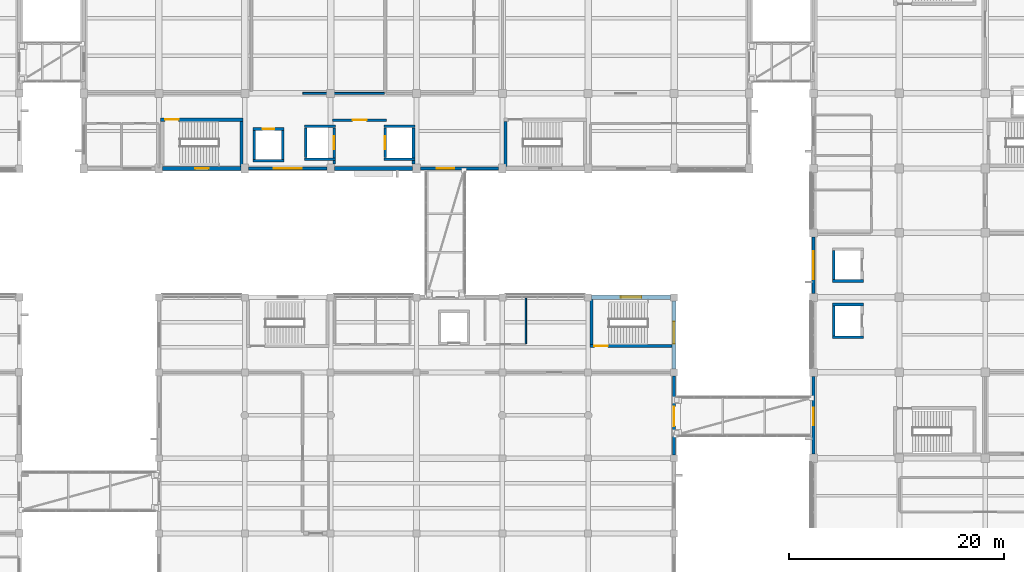
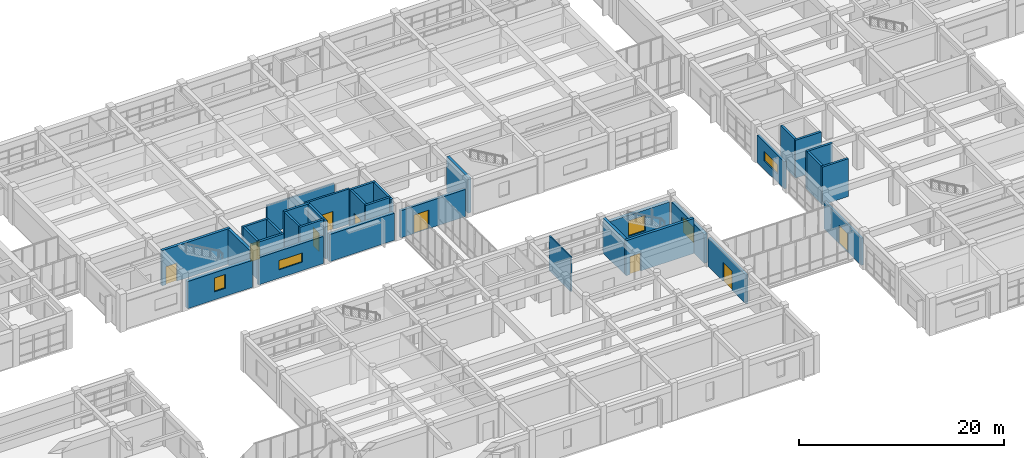
# One storey, part 50 of 70: 34 walls, 9 doors, 5 windows, 14 openings.
"""IFC4 building model written with IfcOpenShell, lengths in metres."""

from ifc_helpers import new_model, si_unit, direction, frame, frame_2d, origin, place, context, subcontext, project, spatial, rectangle, extrude, material, layer, layer_set, type_object, element, fill, save


model = new_model("IFC4")

# Units and contexts
model_context = context("Model", 3, precision=1e-05, world=origin(), true_north=direction((0.0, 1.0)))
body_context = subcontext(model_context, "Body", "Model", "MODEL_VIEW")
ifc_project = project(units=[si_unit("LENGTHUNIT", "METRE"), si_unit("AREAUNIT", "SQUARE_METRE"), si_unit("VOLUMEUNIT", "CUBIC_METRE"), si_unit("PLANEANGLEUNIT", "RADIAN"), si_unit("MASSUNIT", "GRAM", prefix="KILO")], contexts=[model_context])

# Site, building, storey
site_placement = place(None, origin())
site = spatial("IfcSite", under=ifc_project, at=site_placement, CompositionType="ELEMENT")
building_placement = place(site_placement, origin())
building = spatial("IfcBuilding", under=site, at=building_placement, Name="Naurynzar Civic Courthouse", CompositionType="ELEMENT")
storey_placement = place(building_placement, frame((0.0, 0.0, 5.39990234375)))
storey = spatial("IfcBuildingStorey", under=building, at=storey_placement, Name="L02", CompositionType="ELEMENT", Elevation=5.39990234375)

# Wall
ifc_material_1 = material(Name="Acoustic Double-Stud Gypsum Partition")
ifc_layer_1 = layer(ifc_material_1, 0.175048828125)
ifc_layer_set_1 = layer_set([ifc_layer_1], Name="WL-ACOUSTIC-175")
wall_type_1 = type_object("IfcWallType", Name="WL-ACOUSTIC-175", PredefinedType="PARTITIONING", material=ifc_layer_set_1)
wall_1_placement = place(storey_placement, frame((82.39990234375, 51.0, 0.0), z_axis=(0.0, 0.0, 1.0), x_axis=(1.0, 0.0, 0.0)))
element("IfcWall", 1, at=wall_1_placement, inside=storey, type_object=wall_type_1, Name="V2 interior partition L02.227", PredefinedType="PARTITIONING", context=body_context, shape_type="SweptSolid", body=[
    extrude(rectangle(XDim=7.60009765625, YDim=0.175048828125, at=frame_2d((3.800048828125, 0.0))), origin(), (0.0, 0.0, 1.0), 3.400146484375),
])

# Wall, opening, door
ifc_material_2 = material(Name="Concrete C40/50", Category="concrete")
ifc_layer_2 = layer(ifc_material_2, 0.300048828125)
ifc_layer_set_2 = layer_set([ifc_layer_2], Name="WL-CORE-300")
wall_type_2 = type_object("IfcWallType", Name="WL-CORE-300", PredefinedType="SHEAR", material=ifc_layer_set_2)
wall_2_placement = place(storey_placement, frame((76.85009765625, 48.550048828125, 0.0), z_axis=(0.0, 0.0, 1.0), x_axis=(-1.0, 0.0, 0.0)))
wall_2 = element("IfcWall", 2, at=wall_2_placement, inside=storey, type_object=wall_type_2, Name="Stair ST-V2A enclosure wall north L02", PredefinedType="SHEAR", context=body_context, shape_type="SweptSolid", body=[
    extrude(rectangle(XDim=7.7001953125, YDim=0.300048828125, at=frame_2d((3.85009765625, 0.0))), origin(), (0.0, 0.0, 1.0), 4.2001953125),
])
opening_1_placement = place(wall_2_placement, frame((6.02490234375, 0.0, 0.0)))
opening_1 = element("IfcOpeningElement", 3, at=opening_1_placement, cuts=wall_2, Name="Opening SD-025", PredefinedType="OPENING", context=body_context, shape_type="SweptSolid", body=[
    extrude(rectangle(XDim=1.25, YDim=2.14990234375, at=frame_2d((0.625, 1.074951171875))), frame((0.0, 0.159912109375, 0.0), z_axis=(0.0, -1.0, 0.0), x_axis=(1.0, 0.0, 0.0)), (0.0, 0.0, 1.0), 0.320068359375),
])
ifc_material_3 = material(Name="Powder-Coated Galvanised Steel", Category="steel")
door_type_1 = type_object("IfcDoorType", Name="DR-STAIR-1250x2150", OperationType="NOTDEFINED", PredefinedType="DOOR", material=ifc_material_3)
door_1_placement = place(opening_1_placement, origin())
door_1 = element("IfcDoor", 4, at=door_1_placement, inside=storey, type_object=door_type_1, Name="Stair ST-V2A fire door L02", OperationType="SINGLE_SWING_LEFT", OverallHeight=2.14990234375, OverallWidth=1.25, PredefinedType="DOOR", context=body_context, shape_type="SweptSolid", body=[
    extrude(rectangle(XDim=1.25, YDim=2.14990234375, at=frame_2d((0.625, 1.074951171875))), frame((0.0, 0.02490234375, 0.0), z_axis=(0.0, -1.0, 0.0), x_axis=(1.0, 0.0, 0.0)), (0.0, 0.0, 1.0), 0.050048828125),
])
fill(opening_1, door_1)

# Walls
for number, where, z_axis, x_axis, name in (
    (5, (76.699951171875, 44.195068359375, 0.0), (0.0, 0.0, 1.0), (0.0, 1.0, 0.0), "Stair ST-V2A enclosure wall east L02"),
    (6, (101.300048828125, 48.39501953125, 0.0), (0.0, 0.0, 1.0), (0.0, -1.0, 0.0), "Stair ST-V2B enclosure wall west L02"),
):
    element("IfcWall", number, at=place(storey_placement, frame(where, z_axis=z_axis, x_axis=x_axis)), inside=storey, type_object=wall_type_2, Name=name, PredefinedType="SHEAR", context=body_context, shape_type="SweptSolid", body=[
        extrude(rectangle(XDim=4.199951171875, YDim=0.300048828125, at=frame_2d((2.10009765625, 0.0))), origin(), (0.0, 0.0, 1.0), 4.2001953125),
    ])

# Wall, opening, door
wall_3_placement = place(storey_placement, frame((109.14990234375, 27.449951171875, 0.0), z_axis=(0.0, 0.0, 1.0), x_axis=(1.0, 0.0, 0.0)))
wall_3 = element("IfcWall", 7, at=wall_3_placement, inside=storey, type_object=wall_type_2, Name="Stair ST-V3B enclosure wall south L02", PredefinedType="SHEAR", context=body_context, shape_type="SweptSolid", body=[
    extrude(rectangle(XDim=7.655029296875, YDim=0.300048828125, at=frame_2d((3.82763671875, 0.0))), origin(), (0.0, 0.0, 1.0), 4.16015625),
])
opening_2_placement = place(wall_3_placement, frame((0.425048828125, 0.0, 0.0)))
opening_2 = element("IfcOpeningElement", 8, at=opening_2_placement, cuts=wall_3, Name="Opening SD-054", PredefinedType="OPENING", context=body_context, shape_type="SweptSolid", body=[
    extrude(rectangle(XDim=1.25, YDim=2.14990234375, at=frame_2d((0.625, 1.074951171875))), frame((0.0, 0.159912109375, 0.0), z_axis=(0.0, -1.0, 0.0), x_axis=(1.0, 0.0, 0.0)), (0.0, 0.0, 1.0), 0.320068359375),
])
door_2_placement = place(opening_2_placement, origin())
door_2 = element("IfcDoor", 9, at=door_2_placement, inside=storey, type_object=door_type_1, Name="Stair ST-V3B fire door L02", OperationType="SINGLE_SWING_RIGHT", OverallHeight=2.14990234375, OverallWidth=1.25, PredefinedType="DOOR", context=body_context, shape_type="SweptSolid", body=[
    extrude(rectangle(XDim=1.25, YDim=2.14990234375, at=frame_2d((0.625, 1.074951171875))), frame((0.0, 0.02490234375, 0.0), z_axis=(0.0, -1.0, 0.0), x_axis=(1.0, 0.0, 0.0)), (0.0, 0.0, 1.0), 0.050048828125),
])
fill(opening_2, door_2)

# Wall
wall_4_placement = place(storey_placement, frame((109.300048828125, 31.804931640625, 0.0), z_axis=(0.0, 0.0, 1.0), x_axis=(0.0, -1.0, 0.0)))
element("IfcWall", 10, at=wall_4_placement, inside=storey, type_object=wall_type_2, Name="Stair ST-V3B enclosure wall west L02", PredefinedType="SHEAR", context=body_context, shape_type="SweptSolid", body=[
    extrude(rectangle(XDim=4.199951171875, YDim=0.300048828125, at=frame_2d((2.10009765625, 0.0))), origin(), (0.0, 0.0, 1.0), 4.16015625),
])

# Wall, opening, door
ifc_material_4 = material(Name="Precast concrete C40/50", Category="concrete")
ifc_layer_3 = layer(ifc_material_4, 0.260009765625)
ifc_layer_set_3 = layer_set([ifc_layer_3], Name="WL-EXT-260")
wall_type_3 = type_object("IfcWallType", Name="WL-EXT-260", PredefinedType="SOLIDWALL", material=ifc_layer_set_3)
wall_5_placement = place(storey_placement, frame((117.0, 24.675048828125, 0.0), z_axis=(0.0, 0.0, 1.0), x_axis=(0.0, -1.0, 0.0)))
wall_5 = element("IfcWall", 11, at=wall_5_placement, inside=storey, type_object=wall_type_3, Name="V3 exterior wall east L02.2.1", PredefinedType="SOLIDWALL", context=body_context, shape_type="SweptSolid", body=[
    extrude(rectangle(XDim=7.35009765625, YDim=0.260009765625, at=frame_2d((3.675048828125, 0.0))), origin(), (0.0, 0.0, 1.0), 3.440185546875),
])
opening_3_placement = place(wall_5_placement, frame((2.875, 0.0, 0.0)))
opening_3 = element("IfcOpeningElement", 12, at=opening_3_placement, cuts=wall_5, Name="Opening BD-21", PredefinedType="OPENING", context=body_context, shape_type="SweptSolid", body=[
    extrude(rectangle(XDim=1.800048828125, YDim=2.25, at=frame_2d((0.89990234375, 1.125))), frame((0.0, 0.139892578125, 0.0), z_axis=(0.0, -1.0, 0.0), x_axis=(1.0, 0.0, 0.0)), (0.0, 0.0, 1.0), 0.280029296875),
])
ifc_material_5 = material(Name="Aluminium 6063-T6", Category="aluminium")
door_type_2 = type_object("IfcDoorType", Name="DR-BRG-1800x2250", OperationType="DOUBLE_DOOR_SINGLE_SWING", PredefinedType="DOOR", material=ifc_material_5)
door_3_placement = place(opening_3_placement, origin())
door_3 = element("IfcDoor", 13, at=door_3_placement, inside=storey, type_object=door_type_2, Name="Seismic bridge fire door BD-21", OperationType="DOUBLE_DOOR_SINGLE_SWING", OverallHeight=2.25, OverallWidth=1.800048828125, PredefinedType="DOOR", context=body_context, shape_type="SweptSolid", body=[
    extrude(rectangle(XDim=1.800048828125, YDim=2.25, at=frame_2d((0.89990234375, 1.125))), frame((0.0, 0.02490234375, 0.0), z_axis=(0.0, -1.0, 0.0), x_axis=(1.0, 0.0, 0.0)), (0.0, 0.0, 1.0), 0.050048828125),
])
fill(opening_3, door_3)

wall_6_placement = place(storey_placement, frame((130.0, 17.375, 0.0), z_axis=(0.0, 0.0, 1.0), x_axis=(0.0, 1.0, 0.0)))
wall_6 = element("IfcWall", 14, at=wall_6_placement, inside=storey, type_object=wall_type_3, Name="V5 exterior wall west L02.3.1", PredefinedType="SOLIDWALL", context=body_context, shape_type="SweptSolid", body=[
    extrude(rectangle(XDim=7.25, YDim=0.260009765625, at=frame_2d((3.625, 0.0))), origin(), (0.0, 0.0, 1.0), 3.22998046875),
])
opening_4_placement = place(wall_6_placement, frame((2.699951171875, 0.0, 0.0)))
opening_4 = element("IfcOpeningElement", 15, at=opening_4_placement, cuts=wall_6, Name="Opening BD-34", PredefinedType="OPENING", context=body_context, shape_type="SweptSolid", body=[
    extrude(rectangle(XDim=1.64990234375, YDim=2.199951171875, at=frame_2d((0.824951171875, 1.10009765625))), frame((0.0, 0.139892578125, 0.0), z_axis=(0.0, -1.0, 0.0), x_axis=(1.0, 0.0, 0.0)), (0.0, 0.0, 1.0), 0.280029296875),
])
ifc_material_6 = material(Name="Aluminium 6063-T6", Category="aluminium")
door_type_3 = type_object("IfcDoorType", Name="DR-BRG-1650x2200", OperationType="DOUBLE_DOOR_SINGLE_SWING", PredefinedType="DOOR", material=ifc_material_6)
door_4_placement = place(opening_4_placement, origin())
door_4 = element("IfcDoor", 16, at=door_4_placement, inside=storey, type_object=door_type_3, Name="Seismic bridge fire door BD-34", OperationType="DOUBLE_DOOR_SINGLE_SWING", OverallHeight=2.199951171875, OverallWidth=1.64990234375, PredefinedType="DOOR", context=body_context, shape_type="SweptSolid", body=[
    extrude(rectangle(XDim=1.64990234375, YDim=2.199951171875, at=frame_2d((0.824951171875, 1.10009765625))), frame((0.0, 0.02490234375, 0.0), z_axis=(0.0, -1.0, 0.0), x_axis=(1.0, 0.0, 0.0)), (0.0, 0.0, 1.0), 0.050048828125),
])
fill(opening_4, door_4)

# Wall, opening, window
wall_7_placement = place(storey_placement, frame((130.0, 32.375, 0.0), z_axis=(0.0, 0.0, 1.0), x_axis=(0.0, 1.0, 0.0)))
wall_7 = element("IfcWall", 17, at=wall_7_placement, inside=storey, type_object=wall_type_3, Name="V5 exterior wall west L02.5.1", PredefinedType="SOLIDWALL", context=body_context, shape_type="SweptSolid", body=[
    extrude(rectangle(XDim=5.25, YDim=0.260009765625, at=frame_2d((2.625, 0.0))), origin(), (0.0, 0.0, 1.0), 3.22998046875),
])
opening_5_placement = place(wall_7_placement, frame((1.324951171875, 0.0, 1.0)))
opening_5 = element("IfcOpeningElement", 18, at=opening_5_placement, cuts=wall_7, Name="Opening WN-17", PredefinedType="OPENING", context=body_context, shape_type="SweptSolid", body=[
    extrude(rectangle(XDim=2.60009765625, YDim=1.10009765625, at=frame_2d((1.300048828125, 0.550048828125))), frame((0.0, 0.139892578125, 0.0), z_axis=(0.0, -1.0, 0.0), x_axis=(1.0, 0.0, 0.0)), (0.0, 0.0, 1.0), 0.280029296875),
])
ifc_material_7 = material(Name="Tempered Laminated Low-E Glass", Category="glass")
window_type_1 = type_object("IfcWindowType", Name="WIN-CLER-2600x1100", PartitioningType="DOUBLE_PANEL_VERTICAL", PredefinedType="WINDOW", material=ifc_material_7)
window_1_placement = place(opening_5_placement, origin())
window_1 = element("IfcWindow", 19, at=window_1_placement, inside=storey, type_object=window_type_1, Name="V5 window 263 L02", OverallHeight=1.10009765625, OverallWidth=2.60009765625, PartitioningType="SINGLE_PANEL", PredefinedType="WINDOW", context=body_context, shape_type="SweptSolid", body=[
    extrude(rectangle(XDim=2.60009765625, YDim=1.10009765625, at=frame_2d((1.300048828125, 0.550048828125))), frame((0.0, 0.030029296875, 0.0), z_axis=(0.0, -1.0, 0.0), x_axis=(1.0, 0.0, 0.0)), (0.0, 0.0, 1.0), 0.06005859375),
])
fill(opening_5, window_1)

# Wall, opening, door
ifc_material_8 = material(Name="Precast concrete C40/50", Category="concrete")
ifc_layer_4 = layer(ifc_material_8, 0.300048828125)
ifc_layer_set_4 = layer_set([ifc_layer_4], Name="WL-EXT-300")
wall_type_4 = type_object("IfcWallType", Name="WL-EXT-300", PredefinedType="SOLIDWALL", material=ifc_layer_set_4)
wall_8_placement = place(storey_placement, frame((100.64990234375, 44.0, 0.0), z_axis=(0.0, 0.0, 1.0), x_axis=(-1.0, 0.0, 0.0)))
wall_8 = element("IfcWall", 20, at=wall_8_placement, inside=storey, type_object=wall_type_4, Name="V2 exterior wall south L02.4.1", PredefinedType="SOLIDWALL", context=body_context, shape_type="SweptSolid", body=[
    extrude(rectangle(XDim=7.2998046875, YDim=0.300048828125, at=frame_2d((3.64990234375, 0.0))), origin(), (0.0, 0.0, 1.0), 3.22998046875),
])
opening_6_placement = place(wall_8_placement, frame((4.125, 0.0, 0.0)))
opening_6 = element("IfcOpeningElement", 21, at=opening_6_placement, cuts=wall_8, Name="Opening BD-10", PredefinedType="OPENING", context=body_context, shape_type="SweptSolid", body=[
    extrude(rectangle(XDim=1.64990234375, YDim=2.199951171875, at=frame_2d((0.824951171875, 1.10009765625))), frame((0.0, 0.159912109375, 0.0), z_axis=(0.0, -1.0, 0.0), x_axis=(1.0, 0.0, 0.0)), (0.0, 0.0, 1.0), 0.320068359375),
])
door_5_placement = place(opening_6_placement, origin())
door_5 = element("IfcDoor", 22, at=door_5_placement, inside=storey, type_object=door_type_3, Name="Seismic bridge fire door BD-10", OperationType="DOUBLE_DOOR_SINGLE_SWING", OverallHeight=2.199951171875, OverallWidth=1.64990234375, PredefinedType="DOOR", context=body_context, shape_type="SweptSolid", body=[
    extrude(rectangle(XDim=1.64990234375, YDim=2.199951171875, at=frame_2d((0.824951171875, 1.10009765625))), frame((0.0, 0.02490234375, 0.0), z_axis=(0.0, -1.0, 0.0), x_axis=(1.0, 0.0, 0.0)), (0.0, 0.0, 1.0), 0.050048828125),
])
fill(opening_6, door_5)

# Wall, opening, window
wall_9_placement = place(storey_placement, frame((84.64990234375, 44.0, 0.0), z_axis=(0.0, 0.0, 1.0), x_axis=(-1.0, 0.0, 0.0)))
wall_9 = element("IfcWall", 23, at=wall_9_placement, inside=storey, type_object=wall_type_4, Name="V2 exterior wall south L02.6.1", PredefinedType="SOLIDWALL", context=body_context, shape_type="SweptSolid", body=[
    extrude(rectangle(XDim=7.2998046875, YDim=0.300048828125, at=frame_2d((3.64990234375, 0.0))), origin(), (0.0, 0.0, 1.0), 3.22998046875),
])
opening_7_placement = place(wall_9_placement, frame((2.35009765625, 0.0, 1.0)))
opening_7 = element("IfcOpeningElement", 24, at=opening_7_placement, cuts=wall_9, Name="Opening WN-17", PredefinedType="OPENING", context=body_context, shape_type="SweptSolid", body=[
    extrude(rectangle(XDim=2.60009765625, YDim=1.10009765625, at=frame_2d((1.300048828125, 0.550048828125))), frame((0.0, 0.159912109375, 0.0), z_axis=(0.0, -1.0, 0.0), x_axis=(1.0, 0.0, 0.0)), (0.0, 0.0, 1.0), 0.320068359375),
])
window_2_placement = place(opening_7_placement, origin())
window_2 = element("IfcWindow", 25, at=window_2_placement, inside=storey, type_object=window_type_1, Name="V2 window 60 L02", OverallHeight=1.10009765625, OverallWidth=2.60009765625, PartitioningType="SINGLE_PANEL", PredefinedType="WINDOW", context=body_context, shape_type="SweptSolid", body=[
    extrude(rectangle(XDim=2.60009765625, YDim=1.10009765625, at=frame_2d((1.300048828125, 0.550048828125))), frame((0.0, 0.030029296875, 0.0), z_axis=(0.0, -1.0, 0.0), x_axis=(1.0, 0.0, 0.0)), (0.0, 0.0, 1.0), 0.06005859375),
])
fill(opening_7, window_2)

# Wall, opening, door
ifc_material_9 = material(Name="Concrete C35/45", Category="concrete")
ifc_layer_5 = layer(ifc_material_9, 0.219970703125)
ifc_layer_set_5 = layer_set([ifc_layer_5], Name="WL-FFL-220")
wall_type_5 = type_object("IfcWallType", Name="WL-FFL-220", PredefinedType="SOLIDWALL", material=ifc_layer_set_5)
wall_10_placement = place(storey_placement, frame((85.179931640625, 48.510009765625, 0.0), z_axis=(0.0, 0.0, 1.0), x_axis=(1.0, 0.0, 0.0)))
wall_10 = element("IfcWall", 26, at=wall_10_placement, inside=storey, type_object=wall_type_5, Name="Firefighting lift lobby EI 120 wall CORE-V2 L02 north", PredefinedType="SOLIDWALL", context=body_context, shape_type="SweptSolid", body=[
    extrude(rectangle(XDim=5.0400390625, YDim=0.219970703125, at=frame_2d((2.52001953125, 0.0))), origin(), (0.0, 0.0, 1.0), 4.2001953125),
])
opening_8_placement = place(wall_10_placement, frame((1.8701171875, 0.0, 0.0)))
opening_8 = element("IfcOpeningElement", 27, at=opening_8_placement, cuts=wall_10, Name="Opening FD-03", PredefinedType="OPENING", context=body_context, shape_type="SweptSolid", body=[
    extrude(rectangle(XDim=1.300048828125, YDim=2.14990234375, at=frame_2d((0.64990234375, 1.074951171875))), frame((0.0, 0.119873046875, 0.0), z_axis=(0.0, -1.0, 0.0), x_axis=(1.0, 0.0, 0.0)), (0.0, 0.0, 1.0), 0.239990234375),
])
ifc_material_10 = material(Name="Powder-Coated Galvanised Steel", Category="steel")
door_type_4 = type_object("IfcDoorType", Name="DR-FFL-1300x2150", OperationType="NOTDEFINED", PredefinedType="DOOR", material=ifc_material_10)
door_6_placement = place(opening_8_placement, origin())
door_6 = element("IfcDoor", 28, at=door_6_placement, inside=storey, type_object=door_type_4, Name="Firefighting lift lobby door FD-03", OperationType="SINGLE_SWING_LEFT", OverallHeight=2.14990234375, OverallWidth=1.300048828125, PredefinedType="DOOR", context=body_context, shape_type="SweptSolid", body=[
    extrude(rectangle(XDim=1.300048828125, YDim=2.14990234375, at=frame_2d((0.64990234375, 1.074951171875))), frame((0.0, 0.02490234375, 0.0), z_axis=(0.0, -1.0, 0.0), x_axis=(1.0, 0.0, 0.0)), (0.0, 0.0, 1.0), 0.050048828125),
])
fill(opening_8, door_6)

# Walls
ifc_material_11 = material(Name="Moisture-Resistant Plumbing Partition")
ifc_layer_6 = layer(ifc_material_11, 0.139892578125)
ifc_layer_set_6 = layer_set([ifc_layer_6], Name="WL-PART-WC-140")
wall_type_6 = type_object("IfcWallType", Name="WL-PART-WC-140", PredefinedType="PLUMBINGWALL", material=ifc_layer_set_6)
wall_11_placement = place(storey_placement, frame((103.199951171875, 27.679931640625, 0.0), z_axis=(0.0, 0.0, 1.0), x_axis=(0.0, 1.0, 0.0)))
element("IfcWall", 29, at=wall_11_placement, inside=storey, type_object=wall_type_6, Name="V3 interior partition L02.288", PredefinedType="PLUMBINGWALL", context=body_context, shape_type="SweptSolid", body=[
    extrude(rectangle(XDim=4.239990234375, YDim=0.139892578125, at=frame_2d((2.1201171875, 0.0))), origin(), (0.0, 0.0, 1.0), 4.14013671875),
])
ifc_material_12 = material(Name="Concrete C40/50", Category="concrete")
ifc_layer_7 = layer(ifc_material_12, 0.3798828125)
ifc_layer_set_7 = layer_set([ifc_layer_7], Name="WL-RET-380")
wall_type_7 = type_object("IfcWallType", Name="WL-RET-380", PredefinedType="STANDARD", material=ifc_layer_set_7)
wall_12_placement = place(storey_placement, frame((92.64990234375, 44.0, 0.0), z_axis=(0.0, 0.0, 1.0), x_axis=(-1.0, 0.0, 0.0)))
element("IfcWall", 30, at=wall_12_placement, inside=storey, type_object=wall_type_7, Name="V2 exterior wall south L02.5.1", PredefinedType="STANDARD", context=body_context, shape_type="SweptSolid", body=[
    extrude(rectangle(XDim=7.2998046875, YDim=0.3798828125, at=frame_2d((3.64990234375, 0.0))), origin(), (0.0, 0.0, 1.0), 3.22998046875),
])

# Wall, opening, window
wall_13_placement = place(storey_placement, frame((76.64990234375, 44.0, 0.0), z_axis=(0.0, 0.0, 1.0), x_axis=(-1.0, 0.0, 0.0)))
wall_13 = element("IfcWall", 31, at=wall_13_placement, inside=storey, type_object=wall_type_7, Name="V2 exterior wall south L02.7.1", PredefinedType="STANDARD", context=body_context, shape_type="SweptSolid", body=[
    extrude(rectangle(XDim=7.2998046875, YDim=0.3798828125, at=frame_2d((3.64990234375, 0.0))), origin(), (0.0, 0.0, 1.0), 3.22998046875),
])
opening_9_placement = place(wall_13_placement, frame((3.02490234375, 0.0, 0.949951171875)))
opening_9 = element("IfcOpeningElement", 32, at=opening_9_placement, cuts=wall_13, Name="Opening WM-07", PredefinedType="OPENING", context=body_context, shape_type="SweptSolid", body=[
    extrude(rectangle(XDim=1.25, YDim=1.64990234375, at=frame_2d((0.625, 0.824951171875))), frame((0.0, 0.199951171875, 0.0), z_axis=(0.0, -1.0, 0.0), x_axis=(1.0, 0.0, 0.0)), (0.0, 0.0, 1.0), 0.39990234375),
])
ifc_material_13 = material(Name="Tempered Laminated Low-E Glass", Category="glass")
window_type_2 = type_object("IfcWindowType", Name="WIN-MOD-1250x1650", PartitioningType="SINGLE_PANEL", PredefinedType="WINDOW", material=ifc_material_13)
window_3_placement = place(opening_9_placement, origin())
window_3 = element("IfcWindow", 33, at=window_3_placement, inside=storey, type_object=window_type_2, Name="Modular glazed window 7", OverallHeight=1.64990234375, OverallWidth=1.25, PartitioningType="SINGLE_PANEL", PredefinedType="WINDOW", context=body_context, shape_type="SweptSolid", body=[
    extrude(rectangle(XDim=1.25, YDim=1.64990234375, at=frame_2d((0.625, 0.824951171875))), frame((0.0, 0.030029296875, 0.0), z_axis=(0.0, -1.0, 0.0), x_axis=(1.0, 0.0, 0.0)), (0.0, 0.0, 1.0), 0.06005859375),
])
fill(opening_9, window_3)

wall_14_placement = place(storey_placement, frame((109.324951171875, 32.0, 0.0), z_axis=(0.0, 0.0, 1.0), x_axis=(1.0, 0.0, 0.0)))
wall_14 = element("IfcWall", 34, at=wall_14_placement, inside=storey, type_object=wall_type_7, Name="V3 exterior wall north L02.6.1", PredefinedType="STANDARD", context=body_context, shape_type="SweptSolid", body=[
    extrude(rectangle(XDim=7.35009765625, YDim=0.3798828125, at=frame_2d((3.675048828125, 0.0))), origin(), (0.0, 0.0, 1.0), 3.440185546875),
])
opening_10_placement = place(wall_14_placement, frame((2.72509765625, 0.0, 0.949951171875)))
opening_10 = element("IfcOpeningElement", 35, at=opening_10_placement, cuts=wall_14, Name="Opening WM-14", PredefinedType="OPENING", context=body_context, shape_type="SweptSolid", body=[
    extrude(rectangle(XDim=1.89990234375, YDim=1.85009765625, at=frame_2d((0.949951171875, 0.925048828125))), frame((0.0, 0.199951171875, 0.0), z_axis=(0.0, -1.0, 0.0), x_axis=(1.0, 0.0, 0.0)), (0.0, 0.0, 1.0), 0.39990234375),
])
ifc_material_14 = material(Name="Tempered Laminated Low-E Glass", Category="glass")
window_type_3 = type_object("IfcWindowType", Name="WIN-MOD-1900x1850", PartitioningType="DOUBLE_PANEL_VERTICAL", PredefinedType="WINDOW", material=ifc_material_14)
window_4_placement = place(opening_10_placement, origin())
window_4 = element("IfcWindow", 36, at=window_4_placement, inside=storey, type_object=window_type_3, Name="Modular glazed window 14", OverallHeight=1.85009765625, OverallWidth=1.89990234375, PartitioningType="SINGLE_PANEL", PredefinedType="WINDOW", context=body_context, shape_type="SweptSolid", body=[
    extrude(rectangle(XDim=1.89990234375, YDim=1.85009765625, at=frame_2d((0.949951171875, 0.925048828125))), frame((0.0, 0.030029296875, 0.0), z_axis=(0.0, -1.0, 0.0), x_axis=(1.0, 0.0, 0.0)), (0.0, 0.0, 1.0), 0.06005859375),
])
fill(opening_10, window_4)

wall_15_placement = place(storey_placement, frame((117.0, 31.675048828125, 0.0), z_axis=(0.0, 0.0, 1.0), x_axis=(0.0, -1.0, 0.0)))
wall_15 = element("IfcWall", 37, at=wall_15_placement, inside=storey, type_object=wall_type_7, Name="V3 exterior wall east L02.1.1", PredefinedType="STANDARD", context=body_context, shape_type="SweptSolid", body=[
    extrude(rectangle(XDim=6.35009765625, YDim=0.3798828125, at=frame_2d((3.175048828125, 0.0))), origin(), (0.0, 0.0, 1.0), 3.440185546875),
])
opening_11_placement = place(wall_15_placement, frame((1.955078125, 0.0, 0.949951171875)))
opening_11 = element("IfcOpeningElement", 38, at=opening_11_placement, cuts=wall_15, Name="Opening WM-15", PredefinedType="OPENING", context=body_context, shape_type="SweptSolid", body=[
    extrude(rectangle(XDim=2.050048828125, YDim=1.85009765625, at=frame_2d((1.02490234375, 0.925048828125))), frame((0.0, 0.199951171875, 0.0), z_axis=(0.0, -1.0, 0.0), x_axis=(1.0, 0.0, 0.0)), (0.0, 0.0, 1.0), 0.39990234375),
])
ifc_material_15 = material(Name="Tempered Laminated Low-E Glass", Category="glass")
window_type_4 = type_object("IfcWindowType", Name="WIN-MOD-2050x1850", PartitioningType="DOUBLE_PANEL_VERTICAL", PredefinedType="WINDOW", material=ifc_material_15)
window_5_placement = place(opening_11_placement, origin())
window_5 = element("IfcWindow", 39, at=window_5_placement, inside=storey, type_object=window_type_4, Name="Modular glazed window 15", OverallHeight=1.85009765625, OverallWidth=2.050048828125, PartitioningType="SINGLE_PANEL", PredefinedType="WINDOW", context=body_context, shape_type="SweptSolid", body=[
    extrude(rectangle(XDim=2.050048828125, YDim=1.85009765625, at=frame_2d((1.02490234375, 0.925048828125))), frame((0.0, 0.030029296875, 0.0), z_axis=(0.0, -1.0, 0.0), x_axis=(1.0, 0.0, 0.0)), (0.0, 0.0, 1.0), 0.06005859375),
])
fill(opening_11, window_5)

# Wall
ifc_material_16 = material(Name="Concrete C40/50", Category="concrete")
ifc_layer_8 = layer(ifc_material_16, 0.25)
ifc_layer_set_8 = layer_set([ifc_layer_8], Name="WL-SHAFT-250")
wall_type_8 = type_object("IfcWallType", Name="WL-SHAFT-250", PredefinedType="SHEAR", material=ifc_layer_set_8)
wall_16_placement = place(storey_placement, frame((77.75, 44.72509765625, 0.0), z_axis=(0.0, 0.0, 1.0), x_axis=(1.0, 0.0, 0.0)))
element("IfcWall", 40, at=wall_16_placement, inside=storey, type_object=wall_type_8, Name="Lift LP-03 shaft wall south L02", PredefinedType="SHEAR", context=body_context, shape_type="SweptSolid", body=[
    extrude(rectangle(XDim=2.89990234375, YDim=0.25, at=frame_2d((1.449951171875, 0.0))), origin(), (0.0, 0.0, 1.0), 4.5),
])

# Wall, opening, door
wall_17_placement = place(storey_placement, frame((80.64990234375, 47.675048828125, 0.0), z_axis=(0.0, 0.0, 1.0), x_axis=(-1.0, 0.0, 0.0)))
wall_17 = element("IfcWall", 41, at=wall_17_placement, inside=storey, type_object=wall_type_8, Name="Lift LP-03 shaft wall north L02", PredefinedType="SHEAR", context=body_context, shape_type="SweptSolid", body=[
    extrude(rectangle(XDim=2.89990234375, YDim=0.25, at=frame_2d((1.449951171875, 0.0))), origin(), (0.0, 0.0, 1.0), 4.5),
])
opening_12_placement = place(wall_17_placement, frame((0.89990234375, 0.0, 0.0)))
opening_12 = element("IfcOpeningElement", 42, at=opening_12_placement, cuts=wall_17, Name="Opening LD-019", PredefinedType="OPENING", context=body_context, shape_type="SweptSolid", body=[
    extrude(rectangle(XDim=1.10009765625, YDim=2.14990234375, at=frame_2d((0.550048828125, 1.074951171875))), frame((0.0, 0.135009765625, 0.0), z_axis=(0.0, -1.0, 0.0), x_axis=(1.0, 0.0, 0.0)), (0.0, 0.0, 1.0), 0.27001953125),
])
ifc_material_17 = material(Name="Brushed Stainless Steel 304", Category="steel")
door_type_5 = type_object("IfcDoorType", Name="DR-LIFT-SLIDE-1100x2150", OperationType="DOUBLE_DOOR_SLIDING", PredefinedType="DOOR", material=ifc_material_17)
door_7_placement = place(opening_12_placement, origin())
door_7 = element("IfcDoor", 43, at=door_7_placement, inside=storey, type_object=door_type_5, Name="Lift LP-03 sliding landing door L02", OperationType="DOUBLE_DOOR_SLIDING", OverallHeight=2.14990234375, OverallWidth=1.10009765625, PredefinedType="DOOR", context=body_context, shape_type="SweptSolid", body=[
    extrude(rectangle(XDim=1.10009765625, YDim=2.14990234375, at=frame_2d((0.550048828125, 1.074951171875))), frame((0.0, 0.02490234375, 0.0), z_axis=(0.0, -1.0, 0.0), x_axis=(1.0, 0.0, 0.0)), (0.0, 0.0, 1.0), 0.050048828125),
])
fill(opening_12, door_7)

# Walls
for number, where, z_axis, x_axis, name in (
    (44, (77.875, 47.544921875, 0.0), (0.0, 0.0, 1.0), (0.0, -1.0, 0.0), "Lift LP-03 shaft wall west L02"),
    (45, (80.52490234375, 44.85498046875, 0.0), (0.0, 0.0, 1.0), (0.0, 1.0, 0.0), "Lift LP-03 shaft wall east L02"),
):
    element("IfcWall", number, at=place(storey_placement, frame(where, z_axis=z_axis, x_axis=x_axis)), inside=storey, type_object=wall_type_8, Name=name, PredefinedType="SHEAR", context=body_context, shape_type="SweptSolid", body=[
        extrude(rectangle(XDim=2.68994140625, YDim=0.25, at=frame_2d((1.344970703125, 0.0))), origin(), (0.0, 0.0, 1.0), 4.5),
    ])
for number, where, z_axis, x_axis, name in (
    (46, (82.550048828125, 44.875, 0.0), (0.0, 0.0, 1.0), (1.0, 0.0, 0.0), "Lift FL-02 shaft wall south L02"),
    (47, (85.449951171875, 47.925048828125, 0.0), (0.0, 0.0, 1.0), (-1.0, 0.0, 0.0), "Lift FL-02 shaft wall north L02"),
):
    element("IfcWall", number, at=place(storey_placement, frame(where, z_axis=z_axis, x_axis=x_axis)), inside=storey, type_object=wall_type_8, Name=name, PredefinedType="SHEAR", context=body_context, shape_type="SweptSolid", body=[
        extrude(rectangle(XDim=2.89990234375, YDim=0.25, at=frame_2d((1.449951171875, 0.0))), origin(), (0.0, 0.0, 1.0), 4.5),
    ])
wall_18_placement = place(storey_placement, frame((82.675048828125, 47.794921875, 0.0), z_axis=(0.0, 0.0, 1.0), x_axis=(0.0, -1.0, 0.0)))
element("IfcWall", 48, at=wall_18_placement, inside=storey, type_object=wall_type_8, Name="Lift FL-02 shaft wall west L02", PredefinedType="SHEAR", context=body_context, shape_type="SweptSolid", body=[
    extrude(rectangle(XDim=2.7900390625, YDim=0.25, at=frame_2d((1.39501953125, 0.0))), origin(), (0.0, 0.0, 1.0), 4.5),
])

# Wall, opening, door
wall_19_placement = place(storey_placement, frame((85.324951171875, 44.405029296875, 0.0), z_axis=(0.0, 0.0, 1.0), x_axis=(0.0, 1.0, 0.0)))
wall_19 = element("IfcWall", 49, at=wall_19_placement, inside=storey, type_object=wall_type_8, Name="Lift FL-02 shaft wall east L02", PredefinedType="SHEAR", context=body_context, shape_type="SweptSolid", body=[
    extrude(rectangle(XDim=3.389892578125, YDim=0.25, at=frame_2d((1.69482421875, 0.0))), origin(), (0.0, 0.0, 1.0), 4.5),
])
opening_13_placement = place(wall_19_placement, frame((1.39501953125, 0.0, 0.0)))
opening_13 = element("IfcOpeningElement", 50, at=opening_13_placement, cuts=wall_19, Name="Opening LD-030", PredefinedType="OPENING", context=body_context, shape_type="SweptSolid", body=[
    extrude(rectangle(XDim=1.199951171875, YDim=2.199951171875, at=frame_2d((0.60009765625, 1.10009765625))), frame((0.0, 0.135009765625, 0.0), z_axis=(0.0, -1.0, 0.0), x_axis=(1.0, 0.0, 0.0)), (0.0, 0.0, 1.0), 0.27001953125),
])
ifc_material_18 = material(Name="Brushed Stainless Steel 304", Category="steel")
door_type_6 = type_object("IfcDoorType", Name="DR-LIFT-FF-1200x2200", OperationType="DOUBLE_DOOR_SLIDING", PredefinedType="DOOR", material=ifc_material_18)
door_8_placement = place(opening_13_placement, origin())
door_8 = element("IfcDoor", 51, at=door_8_placement, inside=storey, type_object=door_type_6, Name="Lift FL-02 sliding landing door L02", OperationType="DOUBLE_DOOR_SLIDING", OverallHeight=2.199951171875, OverallWidth=1.199951171875, PredefinedType="DOOR", context=body_context, shape_type="SweptSolid", body=[
    extrude(rectangle(XDim=1.199951171875, YDim=2.199951171875, at=frame_2d((0.60009765625, 1.10009765625))), frame((0.0, 0.02490234375, 0.0), z_axis=(0.0, -1.0, 0.0), x_axis=(1.0, 0.0, 0.0)), (0.0, 0.0, 1.0), 0.050048828125),
])
fill(opening_13, door_8)

# Walls
for number, where, z_axis, x_axis, name in (
    (52, (89.949951171875, 44.875, 0.0), (0.0, 0.0, 1.0), (1.0, 0.0, 0.0), "Lift FL-01 shaft wall south L02"),
    (53, (92.85009765625, 47.925048828125, 0.0), (0.0, 0.0, 1.0), (-1.0, 0.0, 0.0), "Lift FL-01 shaft wall north L02"),
):
    element("IfcWall", number, at=place(storey_placement, frame(where, z_axis=z_axis, x_axis=x_axis)), inside=storey, type_object=wall_type_8, Name=name, PredefinedType="SHEAR", context=body_context, shape_type="SweptSolid", body=[
        extrude(rectangle(XDim=2.900146484375, YDim=0.25, at=frame_2d((1.4501953125, 0.0))), origin(), (0.0, 0.0, 1.0), 4.5),
    ])

# Wall, opening, door
wall_20_placement = place(storey_placement, frame((90.074951171875, 47.794921875, 0.0), z_axis=(0.0, 0.0, 1.0), x_axis=(0.0, -1.0, 0.0)))
wall_20 = element("IfcWall", 54, at=wall_20_placement, inside=storey, type_object=wall_type_8, Name="Lift FL-01 shaft wall west L02", PredefinedType="SHEAR", context=body_context, shape_type="SweptSolid", body=[
    extrude(rectangle(XDim=2.7900390625, YDim=0.25, at=frame_2d((1.39501953125, 0.0))), origin(), (0.0, 0.0, 1.0), 4.5),
])
opening_14_placement = place(wall_20_placement, frame((0.794921875, 0.0, 0.0)))
opening_14 = element("IfcOpeningElement", 55, at=opening_14_placement, cuts=wall_20, Name="Opening LD-041", PredefinedType="OPENING", context=body_context, shape_type="SweptSolid", body=[
    extrude(rectangle(XDim=1.199951171875, YDim=2.199951171875, at=frame_2d((0.60009765625, 1.10009765625))), frame((0.0, 0.135009765625, 0.0), z_axis=(0.0, -1.0, 0.0), x_axis=(1.0, 0.0, 0.0)), (0.0, 0.0, 1.0), 0.27001953125),
])
door_9_placement = place(opening_14_placement, origin())
door_9 = element("IfcDoor", 56, at=door_9_placement, inside=storey, type_object=door_type_6, Name="Lift FL-01 sliding landing door L02", OperationType="DOUBLE_DOOR_SLIDING", OverallHeight=2.199951171875, OverallWidth=1.199951171875, PredefinedType="DOOR", context=body_context, shape_type="SweptSolid", body=[
    extrude(rectangle(XDim=1.199951171875, YDim=2.199951171875, at=frame_2d((0.60009765625, 1.10009765625))), frame((0.0, 0.02490234375, 0.0), z_axis=(0.0, -1.0, 0.0), x_axis=(1.0, 0.0, 0.0)), (0.0, 0.0, 1.0), 0.050048828125),
])
fill(opening_14, door_9)

# Walls
wall_21_placement = place(storey_placement, frame((92.72509765625, 44.405029296875, 0.0), z_axis=(0.0, 0.0, 1.0), x_axis=(0.0, 1.0, 0.0)))
element("IfcWall", 57, at=wall_21_placement, inside=storey, type_object=wall_type_8, Name="Lift FL-01 shaft wall east L02", PredefinedType="SHEAR", context=body_context, shape_type="SweptSolid", body=[
    extrude(rectangle(XDim=3.389892578125, YDim=0.25, at=frame_2d((1.69482421875, 0.0))), origin(), (0.0, 0.0, 1.0), 4.5),
])
wall_22_placement = place(storey_placement, frame((131.75, 33.52490234375, 0.0), z_axis=(0.0, 0.0, 1.0), x_axis=(1.0, 0.0, 0.0)))
element("IfcWall", 58, at=wall_22_placement, inside=storey, type_object=wall_type_8, Name="Lift LP-05 shaft wall south L02", PredefinedType="SHEAR", context=body_context, shape_type="SweptSolid", body=[
    extrude(rectangle(XDim=2.89990234375, YDim=0.25, at=frame_2d((1.449951171875, 0.0))), origin(), (0.0, 0.0, 1.0), 4.5),
])
wall_23_placement = place(storey_placement, frame((131.875, 36.344970703125, 0.0), z_axis=(0.0, 0.0, 1.0), x_axis=(0.0, -1.0, 0.0)))
element("IfcWall", 59, at=wall_23_placement, inside=storey, type_object=wall_type_8, Name="Lift LP-05 shaft wall west L02", PredefinedType="SHEAR", context=body_context, shape_type="SweptSolid", body=[
    extrude(rectangle(XDim=2.68994140625, YDim=0.25, at=frame_2d((1.344970703125, 0.0))), origin(), (0.0, 0.0, 1.0), 4.5),
])
for number, where, z_axis, x_axis, name in (
    (60, (131.75, 28.27490234375, 0.0), (0.0, 0.0, 1.0), (1.0, 0.0, 0.0), "Lift LP-06 shaft wall south L02"),
    (61, (134.64990234375, 31.324951171875, 0.0), (0.0, 0.0, 1.0), (-1.0, 0.0, 0.0), "Lift LP-06 shaft wall north L02"),
):
    element("IfcWall", number, at=place(storey_placement, frame(where, z_axis=z_axis, x_axis=x_axis)), inside=storey, type_object=wall_type_8, Name=name, PredefinedType="SHEAR", context=body_context, shape_type="SweptSolid", body=[
        extrude(rectangle(XDim=2.89990234375, YDim=0.25, at=frame_2d((1.449951171875, 0.0))), origin(), (0.0, 0.0, 1.0), 4.5),
    ])
wall_24_placement = place(storey_placement, frame((131.875, 31.195068359375, 0.0), z_axis=(0.0, 0.0, 1.0), x_axis=(0.0, -1.0, 0.0)))
element("IfcWall", 62, at=wall_24_placement, inside=storey, type_object=wall_type_8, Name="Lift LP-06 shaft wall west L02", PredefinedType="SHEAR", context=body_context, shape_type="SweptSolid", body=[
    extrude(rectangle(XDim=2.7900390625, YDim=0.25, at=frame_2d((1.39501953125, 0.0))), origin(), (0.0, 0.0, 1.0), 4.5),
])

save(model, "model.ifc")
